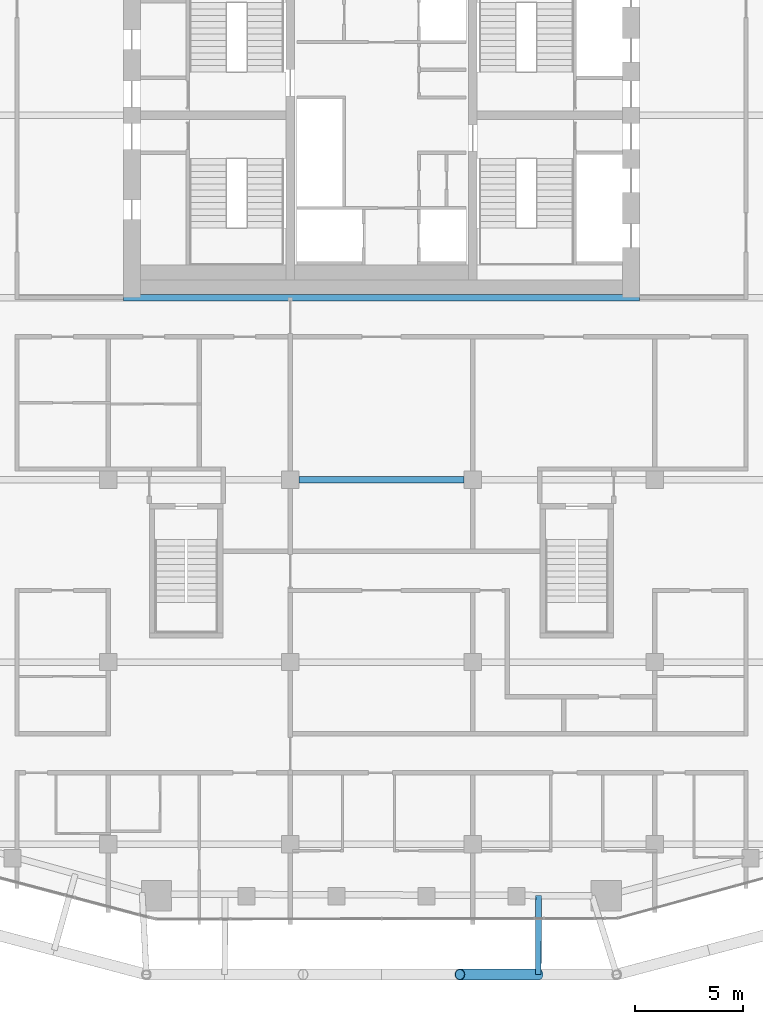
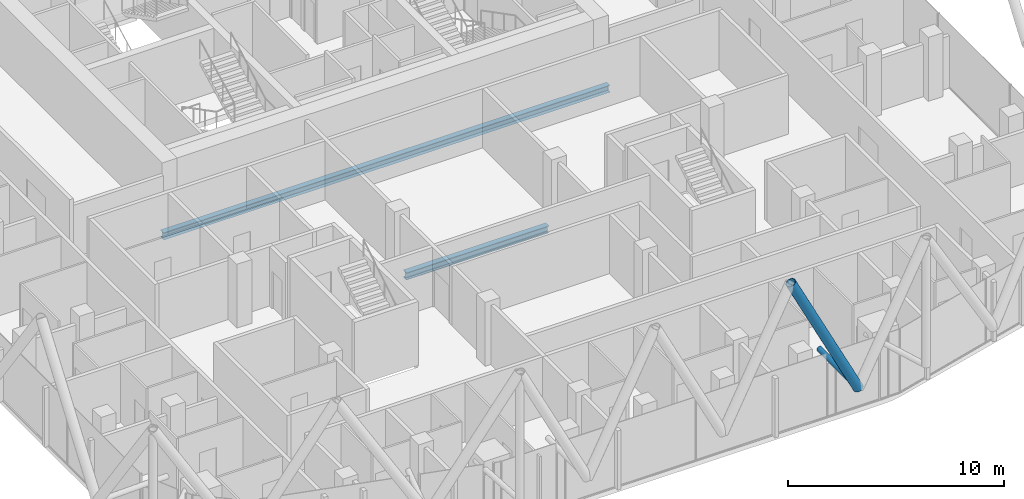
# One storey, part 5 of 31: 2 beams, 2 members.
"""IFC4 building model written with IfcOpenShell, lengths in metres."""

import ifcopenshell
import ifcopenshell.guid

model = None  # the IFC model being written
_history = None  # IfcOwnerHistory: only IFC2X3 demands one
_inside = {}  # id of a spatial element -> (the spatial element, [elements in it])
_under = {}  # id of a project, library or spatial element -> (it, [spatial elements below it])
_declared = {}  # id of a project -> (the project, [libraries it declares])
_typed = {}  # id of a type object -> (the type object, [elements of that type])
_made_of = {}  # id of a material, layer set ... -> (it, [elements and type objects made of it])


def new_model(schema):
    """Start an empty IFC model of exactly this schema.

    Asked for "IFC4X3", IfcOpenShell would pick the latest addendum, in which some entities
    have other attributes; the version numbers below select the first issue.
    IFC2X3 requires an IfcOwnerHistory on every rooted entity: one is made here for all.
    """
    global model, _history
    if schema == "IFC4X3":
        model = ifcopenshell.file(schema_version=(4, 3, 0, 0))
    else:
        model = ifcopenshell.file(schema=schema)
    _inside.clear()
    _under.clear()
    _declared.clear()
    _typed.clear()
    _made_of.clear()
    _history = None
    if model.schema == "IFC2X3":
        org = make("IfcOrganization", Name="unknown")
        user = make(
            "IfcPersonAndOrganization",
            ThePerson=make("IfcPerson", FamilyName="unknown"),
            TheOrganization=org,
        )
        app = make(
            "IfcApplication",
            ApplicationDeveloper=org,
            Version="unknown",
            ApplicationFullName="unknown",
            ApplicationIdentifier="unknown",
        )
        _history = make(
            "IfcOwnerHistory",
            OwningUser=user,
            OwningApplication=app,
            ChangeAction="ADDED",
            CreationDate=0,
        )
    return model


def make(cls, **values):
    """One entity of the class cls with the attributes given. An attribute that is None is left unset."""
    return model.create_entity(
        cls, **{name: value for name, value in values.items() if value is not None}
    )


def rooted(cls, **values):
    """An entity with a GlobalId (a new one), such as an element, a storey or a relation."""
    return make(cls, GlobalId=ifcopenshell.guid.new(), OwnerHistory=_history, **values)


def si_unit(unit_type, name, prefix=None):
    """IfcSIUnit, for example si_unit("LENGTHUNIT", "METRE", prefix="MILLI")."""
    return make("IfcSIUnit", UnitType=unit_type, Prefix=prefix, Name=name)


def assignment(units):
    """IfcUnitAssignment: the units of a project."""
    return None if units is None else make("IfcUnitAssignment", Units=units)


def point(xyz):
    """IfcCartesianPoint."""
    return None if xyz is None else make("IfcCartesianPoint", Coordinates=xyz)


def direction(xyz):
    """IfcDirection."""
    return None if xyz is None else make("IfcDirection", DirectionRatios=xyz)


def frame(location, z_axis=None, x_axis=None):
    """IfcAxis2Placement3D, a coordinate frame: its origin and axes. An axis left out is left unset."""
    return make(
        "IfcAxis2Placement3D",
        Location=point(location),
        Axis=direction(z_axis),
        RefDirection=direction(x_axis),
    )


def frame_2d(location, x_axis=None):
    """IfcAxis2Placement2D, a coordinate frame in the plane: its origin and x axis."""
    return make(
        "IfcAxis2Placement2D", Location=point(location), RefDirection=direction(x_axis)
    )


def origin():
    """The frame at (0, 0, 0) with its axes left unset."""
    return frame((0.0, 0.0, 0.0))


def origin_2d():
    """The frame at (0, 0) in the plane with its x axis left unset."""
    return frame_2d((0.0, 0.0))


def place(relative_to, where):
    """IfcLocalPlacement: puts the frame where relative to a parent placement (None: the world)."""
    return make(
        "IfcLocalPlacement", PlacementRelTo=relative_to, RelativePlacement=where
    )


def context(
    kind, dimensions, precision=None, world=None, true_north=None, identifier=None
):
    """IfcGeometricRepresentationContext, for example the 3D "Model" context."""
    return make(
        "IfcGeometricRepresentationContext",
        ContextIdentifier=identifier,
        ContextType=kind,
        CoordinateSpaceDimension=dimensions,
        Precision=precision,
        WorldCoordinateSystem=world,
        TrueNorth=true_north,
    )


def subcontext(parent, identifier, kind, view, scale=None):
    """IfcGeometricRepresentationSubContext, for example "Body" below "Model"."""
    return make(
        "IfcGeometricRepresentationSubContext",
        ContextIdentifier=identifier,
        ContextType=kind,
        ParentContext=parent,
        TargetScale=scale,
        TargetView=view,
    )


def project(units=None, contexts=None):
    """IfcProject with its units and contexts."""
    return rooted(
        "IfcProject",
        Name="project",
        RepresentationContexts=contexts,
        UnitsInContext=assignment(units),
    )


def spatial(cls, under=None, at=None, **own):
    """A site, building, storey or space (cls), placed at a placement, below another one or the project."""
    s = rooted(cls, ObjectPlacement=at, **own)
    if under is not None:
        _under.setdefault(under.id(), (under, []))[1].append(s)
    return s


def profile(cls, at=None, kind="AREA", **sizes):
    """A parametric profile (cls). Its sizes go by their IFC names, for example OverallWidth=200.0."""
    return make(cls, ProfileType=kind, Position=at, **sizes)


def hollow_circle(**sizes):
    """IfcCircleHollowProfileDef."""
    return profile("IfcCircleHollowProfileDef", **sizes)


def i_section(**sizes):
    """IfcIShapeProfileDef."""
    return profile("IfcIShapeProfileDef", **sizes)


def extrude(swept, where, along, depth):
    """IfcExtrudedAreaSolid: the profile swept, set in the frame where, extruded along a direction by depth."""
    return make(
        "IfcExtrudedAreaSolid",
        SweptArea=swept,
        Position=where,
        ExtrudedDirection=direction(along),
        Depth=depth,
    )


def shape(context_of_items, identifier, shape_type, items):
    """IfcShapeRepresentation: the items that make up one representation, for example the "Body"."""
    return make(
        "IfcShapeRepresentation",
        ContextOfItems=context_of_items,
        RepresentationIdentifier=identifier,
        RepresentationType=shape_type,
        Items=items,
    )


def material(Name=None, Category=None):
    """IfcMaterial."""
    return make("IfcMaterial", Name=Name, Category=Category)


def material_profile(
    of_material, cross_section, Name=None, Category=None, Priority=None
):
    """IfcMaterialProfile: a cross section and its material."""
    return make(
        "IfcMaterialProfile",
        Name=Name,
        Material=of_material,
        Profile=cross_section,
        Priority=Priority,
        Category=Category,
    )


def profile_set(profiles, Name=None, composite=None):
    """IfcMaterialProfileSet."""
    return make(
        "IfcMaterialProfileSet",
        Name=Name,
        MaterialProfiles=profiles,
        CompositeProfile=composite,
    )


def made_of(thing, what):
    """Note that an element or type object is made of a material, layer set ...; save() writes the relation."""
    if what is not None:
        _made_of.setdefault(what.id(), (what, []))[1].append(thing)
    return thing


def type_object(cls, material=None, **own):
    """A type object (cls), such as IfcWallType, which elements share."""
    return made_of(rooted(cls, **own), material)


def element(
    cls,
    number,
    at=None,
    inside=None,
    cuts=None,
    type_object=None,
    material=None,
    context=None,
    identifier="Body",
    shape_type=None,
    held_by="IfcProductDefinitionShape",
    body=None,
    shapes=None,
    **own,
):
    """One element of the class cls, such as IfcWall. Its Tag is "e" and its number.

    at: its placement. inside: the storey or other place that contains it. cuts: it is an
    opening in that element (IfcRelVoidsElement). A single representation is given by context,
    identifier, shape_type and body (its items); several are given by shapes. held_by: the class
    of the entity that holds the representations. save() writes the other relations.
    """
    e = rooted(cls, Tag="e%d" % number, ObjectPlacement=at, **own)
    if body is not None:
        shapes = [shape(context, identifier, shape_type, body)]
    if shapes is not None:
        e.Representation = make(held_by, Representations=shapes)
    if inside is not None:
        _inside.setdefault(inside.id(), (inside, []))[1].append(e)
    if cuts is not None:
        rooted(
            "IfcRelVoidsElement", RelatingBuildingElement=cuts, RelatedOpeningElement=e
        )
    if type_object is not None:
        _typed.setdefault(type_object.id(), (type_object, []))[1].append(e)
    return made_of(e, material)


def aggregate(whole, parts):
    """IfcRelAggregates: a whole, such as a stair, and the parts it consists of."""
    return rooted("IfcRelAggregates", RelatingObject=whole, RelatedObjects=parts)


def save(model, path):
    """Write the relations noted so far, then the file.

    IfcRelAggregates (storeys below a building ...), IfcRelContainedInSpatialStructure (elements
    in a storey), IfcRelDefinesByType, IfcRelAssociatesMaterial and IfcRelDeclares: one each for
    every whole, place, type object, material and project.
    """
    for whole, parts in _under.values():
        aggregate(whole, parts)
    for where, things in _inside.values():
        rooted(
            "IfcRelContainedInSpatialStructure",
            RelatedElements=things,
            RelatingStructure=where,
        )
    for kind, things in _typed.values():
        rooted("IfcRelDefinesByType", RelatedObjects=things, RelatingType=kind)
    for what, things in _made_of.values():
        rooted("IfcRelAssociatesMaterial", RelatedObjects=things, RelatingMaterial=what)
    for by, libraries in _declared.values():
        rooted("IfcRelDeclares", RelatingContext=by, RelatedDefinitions=libraries)
    model.write(path)


model = new_model("IFC4")

# Units and contexts
model_context = context("Model", 3, precision=1e-05, world=origin(), true_north=direction((0.0, 1.0)))
body_context = subcontext(model_context, "Body", "Model", "MODEL_VIEW")
ifc_project = project(units=[si_unit("LENGTHUNIT", "METRE"), si_unit("AREAUNIT", "SQUARE_METRE"), si_unit("VOLUMEUNIT", "CUBIC_METRE"), si_unit("PLANEANGLEUNIT", "RADIAN"), si_unit("MASSUNIT", "GRAM", prefix="KILO")], contexts=[model_context])

# Site, building, storey
site_placement = place(None, origin())
site = spatial("IfcSite", under=ifc_project, at=site_placement, CompositionType="ELEMENT")
building_placement = place(site_placement, origin())
building = spatial("IfcBuilding", under=site, at=building_placement, Name="Marenta Gate Hotel Tower", CompositionType="ELEMENT")
storey_placement = place(building_placement, frame((0.0, 0.0, 205.699951171875)))
storey = spatial("IfcBuildingStorey", under=building, at=storey_placement, Name="L47", CompositionType="ELEMENT", Elevation=205.699951171875)

# Members
ifc_material_1 = material(Name="Steel S355J2W", Category="steel")
ifc_material_profile_1 = material_profile(ifc_material_1, hollow_circle(Radius=0.25390625, WallThickness=0.02490234375, at=origin_2d()), Name="CHS 508x25")
ifc_profile_set_1 = profile_set([ifc_material_profile_1], Name="Steel S355J2W")
member_type_1 = type_object("IfcMemberType", Name="Diagrid diagonal Z3 CHS 508x25", PredefinedType="BRACE", material=ifc_profile_set_1)
member_1_placement = place(storey_placement, frame((7.22607421875, -31.199951171875, 3.14013671875), z_axis=(-0.44851025603, 0.0, 0.893777685018), x_axis=(0.0, -1.0, 0.0)))
element("IfcMember", 1, at=member_1_placement, inside=storey, type_object=member_type_1, Name="L47-DG-16", PredefinedType="BRACE", context=body_context, shape_type="SweptSolid", body=[
    extrude(hollow_circle(Radius=0.25390625, WallThickness=0.02490234375, at=origin_2d()), origin(), (0.0, 0.0, 1.0), 8.0556640625),
])
ifc_material_2 = material(Name="Steel S355J2W", Category="steel")
ifc_material_profile_2 = material_profile(ifc_material_2, hollow_circle(Radius=0.136474609375, WallThickness=0.012451171875, at=origin_2d()), Name="CHS 273x12.5")
ifc_profile_set_2 = profile_set([ifc_material_profile_2], Name="Steel S355J2W")
member_type_2 = type_object("IfcMemberType", Name="Floor tie CHS 273x12.5", PredefinedType="STRUT", material=ifc_profile_set_2)
member_2_placement = place(storey_placement, frame((7.22607421875, -31.199951171875, 3.14013671875), z_axis=(0.003830102265, 0.999992665131, 0.0), x_axis=(-0.999992665131, 0.003830102265, 0.0)))
element("IfcMember", 2, at=member_2_placement, inside=storey, type_object=member_type_2, Name="L47-DR-14", PredefinedType="STRUT", context=body_context, shape_type="SweptSolid", body=[
    extrude(hollow_circle(Radius=0.136474609375, WallThickness=0.012451171875, at=origin_2d()), origin(), (0.0, 0.0, 1.0), 3.63330078125),
])

# Beams
ifc_material_3 = material(Name="Steel S355", Category="steel")
ifc_material_profile_3 = material_profile(ifc_material_3, i_section(OverallWidth=0.300048828125, OverallDepth=0.39990234375, WebThickness=0.013427734375, FlangeThickness=0.02392578125, FilletRadius=0.027099609375, at=origin_2d()), Name="HEB 400")
ifc_profile_set_3 = profile_set([ifc_material_profile_3], Name="Steel S355")
beam_type = type_object("IfcBeamType", Name="Girder HEB 400", PredefinedType="BEAM", material=ifc_profile_set_3)
beam_1_placement = place(storey_placement, frame((-3.800048828125, -8.39990234375, -0.4599609375), z_axis=(1.0, 0.0, 0.0), x_axis=(0.0, 1.0, 0.0)))
element("IfcBeam", 3, at=beam_1_placement, inside=storey, type_object=beam_type, Name="L47-GD-16", PredefinedType="BEAM", context=body_context, shape_type="SweptSolid", body=[
    extrude(i_section(OverallWidth=0.300048828125, OverallDepth=0.39990234375, WebThickness=0.013427734375, FlangeThickness=0.02392578125, FilletRadius=0.027099609375, at=origin_2d()), origin(), (0.0, 0.0, 1.0), 7.60009765625),
])
beam_2_placement = place(storey_placement, frame((-11.89990234375, 0.0, -0.4599609375), z_axis=(1.0, 0.0, 0.0), x_axis=(0.0, 1.0, 0.0)))
element("IfcBeam", 4, at=beam_2_placement, inside=storey, type_object=beam_type, Name="L47-GD-22", PredefinedType="BEAM", context=body_context, shape_type="SweptSolid", body=[
    extrude(i_section(OverallWidth=0.300048828125, OverallDepth=0.39990234375, WebThickness=0.013427734375, FlangeThickness=0.02392578125, FilletRadius=0.027099609375, at=origin_2d()), origin(), (0.0, 0.0, 1.0), 23.7998046875),
])

save(model, "model.ifc")
